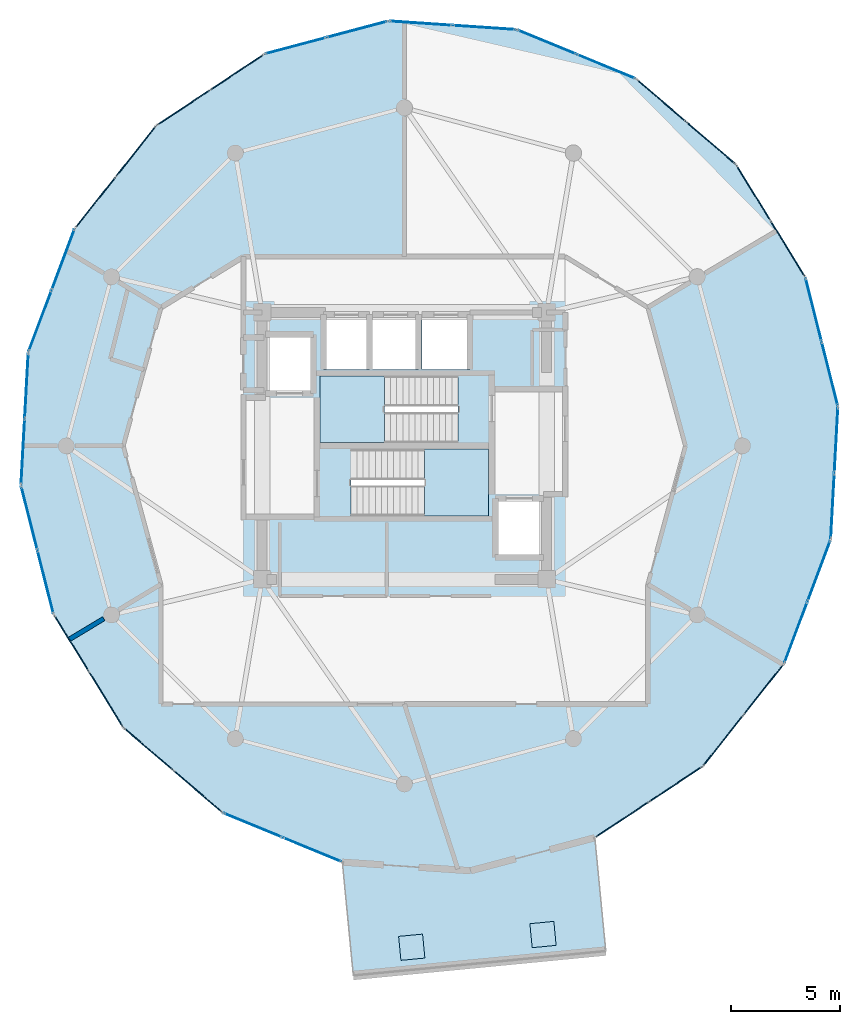
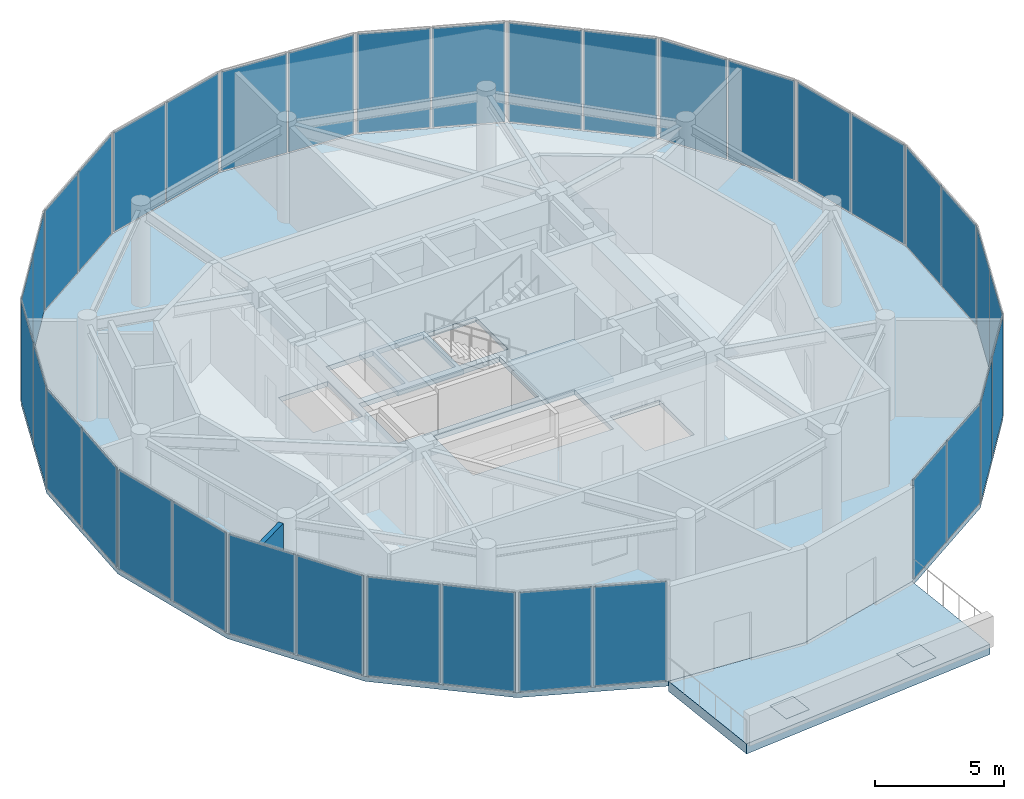
# One storey, part 16 of 21: 38 plates, 4 slabs, 1 wall, 20 elements without a shape of their own.
"""IFC4 building model written with IfcOpenShell, lengths in metres."""

from ifc_helpers import new_model, si_unit, direction, frame, frame_2d, origin, origin_2d, place, context, subcontext, project, spatial, polyline, rectangle, outline, extrude, source, transform, mapped, material, layer, layer_set, type_object, element, aggregate, save


model = new_model("IFC4")

# Units and contexts
model_context = context("Model", 3, precision=1e-05, world=origin(), true_north=direction((0.0, 1.0)))
body_context = subcontext(model_context, "Body", "Model", "MODEL_VIEW")
ifc_project = project(units=[si_unit("LENGTHUNIT", "METRE"), si_unit("AREAUNIT", "SQUARE_METRE"), si_unit("VOLUMEUNIT", "CUBIC_METRE"), si_unit("PLANEANGLEUNIT", "RADIAN"), si_unit("MASSUNIT", "GRAM", prefix="KILO")], contexts=[model_context])

# Site, building, storey
site_placement = place(None, origin())
site = spatial("IfcSite", under=ifc_project, at=site_placement, CompositionType="ELEMENT")
building_placement = place(site_placement, origin())
building = spatial("IfcBuilding", under=site, at=building_placement, Name="Solvirekh Grand Hotel", CompositionType="ELEMENT")
storey_placement = place(building_placement, frame((0.0, 0.0, 262.0)))
storey = spatial("IfcBuildingStorey", under=building, at=storey_placement, Name="L68", CompositionType="ELEMENT", Elevation=262.0)

# Slab
ifc_material_1 = material(Name="Concrete C60/75", Category="concrete")
ifc_layer_1 = layer(ifc_material_1, 0.47998046875)
ifc_layer_set_1 = layer_set([ifc_layer_1], Name="Concrete C60/75")
slab_type_1 = type_object("IfcSlabType", Name="ExtSkyPoolDeck_480", PredefinedType="FLOOR", material=ifc_layer_set_1)
slab_1_placement = place(storey_placement, frame((0.0, 0.0, -0.47998046875)))
element("IfcSlab", 1, at=slab_1_placement, inside=storey, type_object=slab_type_1, Name="L68 cantilevered sky-pool structural deck", PredefinedType="FLOOR", context=body_context, shape_type="SweptSolid", body=[
    extrude(outline(polyline([(-2.8330078125, -19.01708984375), (-2.3330078125, -24.193115234375), (9.200927734375, -23.077880859375), (8.700927734375, -17.902099609375), (3.02587890625, -19.409912109375), (-2.8330078125, -19.01708984375)])), origin(), (0.0, 0.0, 1.0), 0.47998046875),
])

# Stair, slab
ifc_material_2 = material(Name="Concrete C40/50", Category="concrete")
stair_type = type_object("IfcStairType", Name="Stair_Core_1450", PredefinedType="HALF_TURN_STAIR", material=ifc_material_2)
stair_1_placement = place(storey_placement, origin())
stair_1 = element("IfcStair", 2, at=stair_1_placement, inside=storey, type_object=stair_type, Name="L68 Enclosed exit stair ST-1", PredefinedType="HALF_TURN_STAIR")
ifc_layer_2 = layer(ifc_material_2, 0.199951171875)
ifc_layer_set_2 = layer_set([ifc_layer_2], Name="Concrete C40/50")
slab_type_2 = type_object("IfcSlabType", Name="Landing_Stair_200", PredefinedType="LANDING", material=ifc_layer_set_2)
slab_2_placement = place(storey_placement, frame((0.0, 0.0, 2.199951171875)))
slab_2 = element("IfcSlab", 3, at=slab_2_placement, type_object=slab_type_2, Name="ST-1 landing 1", PredefinedType="LANDING", context=body_context, shape_type="SweptSolid", body=[
    extrude(outline(polyline([(0.909912109375, -3.199951171875), (3.85009765625, -3.199951171875), (3.85009765625, -0.14990234375), (0.909912109375, -0.14990234375), (0.909912109375, -3.199951171875)])), origin(), (0.0, 0.0, 1.0), 0.199951171875),
])
aggregate(stair_1, [slab_2])

stair_2_placement = place(storey_placement, origin())
stair_2 = element("IfcStair", 4, at=stair_2_placement, inside=storey, type_object=stair_type, Name="L68 Enclosed exit stair ST-2", PredefinedType="HALF_TURN_STAIR")
slab_3_placement = place(storey_placement, frame((0.0, 0.0, 2.199951171875)))
slab_3 = element("IfcSlab", 5, at=slab_3_placement, type_object=slab_type_2, Name="ST-2 landing 1", PredefinedType="LANDING", context=body_context, shape_type="SweptSolid", body=[
    extrude(outline(polyline([(-0.909912109375, 3.199951171875), (-3.85009765625, 3.199951171875), (-3.85009765625, 0.14990234375), (-0.909912109375, 0.14990234375), (-0.909912109375, 3.199951171875)])), origin(), (0.0, 0.0, 1.0), 0.199951171875),
])
aggregate(stair_2, [slab_3])

# Plates
ifc_material_3 = material(Name="Structural Acrylic Pool Glazing", Category="glass")
ifc_layer_3 = layer(ifc_material_3, 0.0849609375)
ifc_layer_set_3 = layer_set([ifc_layer_3], Name="Structural Acrylic Pool Glazing")
plate_type_1 = type_object("IfcPlateType", Name="PoolAcrylicPlate_85", PredefinedType="SHEET", material=ifc_layer_set_3)
for number, where, z_axis, x_axis, name in (
    (6, (0.3369140625, -22.905029296875, -0.08251953125), (0.0, 0.0, 1.0), (0.995362681246, 0.096193205494, 0.0), "L68 sky-pool acrylic viewing panel 1"),
    (7, (6.333984375, -22.324951171875, -0.08251953125), (0.0, 0.0, 1.0), (0.995362681246, 0.096193205494, 0.0), "L68 sky-pool acrylic viewing panel 2"),
):
    element("IfcPlate", number, at=place(storey_placement, frame(where, z_axis=z_axis, x_axis=x_axis)), inside=storey, type_object=plate_type_1, Name=name, PredefinedType="SHEET", context=body_context, shape_type="SweptSolid", body=[
        extrude(rectangle(XDim=1.10009765625, YDim=1.10009765625, at=origin_2d()), origin(), (0.0, 0.0, 1.0), 0.0849609375),
    ])

# Slab
ifc_layer_4 = layer(ifc_material_2, 0.22998046875)
ifc_layer_set_4 = layer_set([ifc_layer_4], Name="Concrete C40/50")
slab_type_3 = type_object("IfcSlabType", Name="Slab_GuestZ4_230", PredefinedType="FLOOR", material=ifc_layer_set_4)
slab_4_placement = place(storey_placement, frame((0.0, 0.0, -0.22998046875)))
element("IfcSlab", 8, at=slab_4_placement, inside=storey, type_object=slab_type_3, Name="L68 structural floor slab", PredefinedType="FLOOR", context=body_context, shape_type="SweptSolid", body=[
    extrude(outline(polyline([(3.02587890625, -19.409912109375), (8.700927734375, -17.902099609375), (13.636962890625, -14.64306640625), (17.35107421875, -9.948974609375), (19.47900390625, -4.282958984375), (19.81298828125, 1.803955078125), (18.320068359375, 7.712890625), (15.14599609375, 12.867919921875), (10.60205078125, 16.762939453125), (5.133056640625, 19.01708984375), (-0.72607421875, 19.409912109375), (-6.40087890625, 17.902099609375), (-11.3369140625, 14.64306640625), (-15.051025390625, 9.948974609375), (-17.178955078125, 4.282958984375), (-17.512939453125, -1.803955078125), (-16.02001953125, -7.712890625), (-12.845947265625, -12.867919921875), (-8.302001953125, -16.762939453125), (-2.8330078125, -19.01708984375), (3.02587890625, -19.409912109375)]), holes=[polyline([(-2.444091796875, -0.14990234375), (3.85009765625, -0.14990234375), (3.85009765625, -3.199951171875), (-2.444091796875, -3.199951171875), (-2.444091796875, -0.14990234375)]), polyline([(2.444091796875, 0.14990234375), (-3.85009765625, 0.14990234375), (-3.85009765625, 3.199951171875), (2.444091796875, 3.199951171875), (2.444091796875, 0.14990234375)]), polyline([(-3.699951171875, 6.0), (-1.60009765625, 6.0), (-1.60009765625, 3.5), (-3.699951171875, 3.5), (-3.699951171875, 6.0)]), polyline([(-1.449951171875, 6.0), (0.64990234375, 6.0), (0.64990234375, 3.5), (-1.449951171875, 3.5), (-1.449951171875, 6.0)]), polyline([(0.800048828125, 6.0), (3.0, 6.0), (3.0, 3.5), (0.800048828125, 3.5), (0.800048828125, 6.0)]), polyline([(-6.35009765625, 5.10009765625), (-4.14990234375, 5.10009765625), (-4.14990234375, 2.39990234375), (-6.35009765625, 2.39990234375), (-6.35009765625, 5.10009765625)]), polyline([(4.14990234375, -2.39990234375), (6.35009765625, -2.39990234375), (6.35009765625, -5.10009765625), (4.14990234375, -5.10009765625), (4.14990234375, -2.39990234375)])]), origin(), (0.0, 0.0, 1.0), 0.22998046875),
])

# Curtain wall, plates
ifc_material_4 = material(Name="Anodized Bronze Aluminium 6063-T6", Category="aluminium")
ifc_layer_5 = layer(ifc_material_4, 0.18994140625)
ifc_layer_set_5 = layer_set([ifc_layer_5], Name="Anodized Bronze Aluminium 6063-T6")
curtain_wall_type = type_object("IfcCurtainWallType", Name="CW_Sys5_SkyLobbyPanoramaCW", PredefinedType="NOTDEFINED", material=ifc_layer_set_5)
curtain_wall_1_placement = place(storey_placement, origin())
curtain_wall_1 = element("IfcCurtainWall", 9, at=curtain_wall_1_placement, inside=storey, type_object=curtain_wall_type, Name="L68 unitised bronze-glass curtain wall CW-L68-C02", PredefinedType="NOTDEFINED")
ifc_material_5 = material(Name="Low-E Tinted Bronze Laminated Glass", Category="aluminium")
ifc_layer_6 = layer(ifc_material_5, 0.0419921875)
ifc_layer_set_6 = layer_set([ifc_layer_6], Name="Low-E Tinted Bronze Laminated Glass")
plate_type_2 = type_object("IfcPlateType", Name="CWPanel_SkyLobby_42", PredefinedType="CURTAIN_PANEL", material=ifc_layer_set_6)
shared_shape_1 = source(origin(), body_context, "Body", "SweptSolid", [
    extrude(rectangle(XDim=2.852294921875, YDim=0.0419921875, at=origin_2d()), origin(), (0.0, 0.0, 1.0), 4.679931640625),
])
plate_1_placement = place(storey_placement, frame((9.94970703125, -17.07763671875, 0.06005859375), z_axis=(0.0, 0.0, 1.0), x_axis=(0.834513013071, 0.550988231285, 0.0)))
plate_1 = element("IfcPlate", 10, at=plate_1_placement, type_object=plate_type_2, Name="U05 panel 1.1", PredefinedType="CURTAIN_PANEL", context=body_context, shape_type="MappedRepresentation", body=[
    mapped(shared_shape_1, transform((0.0, 0.0, 0.0), x_axis=(1.0, 0.0, 0.0), y_axis=(0.0, 1.0, 0.0), z_axis=(0.0, 0.0, 1.0), scale=1.0)),
])
plate_2_placement = place(storey_placement, frame((12.388427734375, -15.46728515625, 0.06005859375), z_axis=(0.0, 0.0, 1.0), x_axis=(0.834513013071, 0.550988231285, 0.0)))
plate_2 = element("IfcPlate", 11, at=plate_2_placement, type_object=plate_type_2, Name="U05 panel 2.1", PredefinedType="CURTAIN_PANEL", context=body_context, shape_type="MappedRepresentation", body=[
    mapped(shared_shape_1, transform((0.0, 0.0, 0.0), x_axis=(1.0, 0.0, 0.0), y_axis=(0.0, 1.0, 0.0), z_axis=(0.0, 0.0, 1.0), scale=1.0)),
])
aggregate(curtain_wall_1, [plate_1, plate_2])

curtain_wall_2_placement = place(storey_placement, origin())
curtain_wall_2 = element("IfcCurtainWall", 12, at=curtain_wall_2_placement, inside=storey, type_object=curtain_wall_type, Name="L68 unitised bronze-glass curtain wall CW-L68-C12", PredefinedType="NOTDEFINED")
plate_3_placement = place(storey_placement, frame((-7.649658203125, 17.07763671875, 0.06005859375), z_axis=(0.0, 0.0, 1.0), x_axis=(-0.834513013071, -0.550988231285, 0.0)))
plate_3 = element("IfcPlate", 13, at=plate_3_placement, type_object=plate_type_2, Name="U05 panel 1.1", PredefinedType="CURTAIN_PANEL", context=body_context, shape_type="MappedRepresentation", body=[
    mapped(shared_shape_1, transform((0.0, 0.0, 0.0), x_axis=(1.0, 0.0, 0.0), y_axis=(0.0, 1.0, 0.0), z_axis=(0.0, 0.0, 1.0), scale=1.0)),
])
plate_4_placement = place(storey_placement, frame((-10.08837890625, 15.46728515625, 0.06005859375), z_axis=(0.0, 0.0, 1.0), x_axis=(-0.834513013071, -0.550988231285, 0.0)))
plate_4 = element("IfcPlate", 14, at=plate_4_placement, type_object=plate_type_2, Name="U05 panel 2.1", PredefinedType="CURTAIN_PANEL", context=body_context, shape_type="MappedRepresentation", body=[
    mapped(shared_shape_1, transform((0.0, 0.0, 0.0), x_axis=(1.0, 0.0, 0.0), y_axis=(0.0, 1.0, 0.0), z_axis=(0.0, 0.0, 1.0), scale=1.0)),
])
aggregate(curtain_wall_2, [plate_3, plate_4])

curtain_wall_3_placement = place(storey_placement, origin())
curtain_wall_3 = element("IfcCurtainWall", 15, at=curtain_wall_3_placement, inside=storey, type_object=curtain_wall_type, Name="L68 unitised bronze-glass curtain wall CW-L68-C03", PredefinedType="NOTDEFINED")
shared_shape_2 = source(origin(), body_context, "Body", "SweptSolid", [
    extrude(rectangle(XDim=2.8876953125, YDim=0.0419921875, at=origin_2d()), origin(), (0.0, 0.0, 1.0), 4.679931640625),
])
plate_5_placement = place(storey_placement, frame((14.576416015625, -13.455810546875, 0.06005859375), z_axis=(0.0, 0.0, 1.0), x_axis=(0.620488960643, 0.784215180751, 0.0)))
plate_5 = element("IfcPlate", 16, at=plate_5_placement, type_object=plate_type_2, Name="U05 panel 1.1", PredefinedType="CURTAIN_PANEL", context=body_context, shape_type="MappedRepresentation", body=[
    mapped(shared_shape_2, transform((0.0, 0.0, 0.0), x_axis=(1.0, 0.0, 0.0), y_axis=(0.0, 1.0, 0.0), z_axis=(0.0, 0.0, 1.0), scale=1.0)),
])
plate_6_placement = place(storey_placement, frame((16.41162109375, -11.13623046875, 0.06005859375), z_axis=(0.0, 0.0, 1.0), x_axis=(0.620488960643, 0.784215180751, 0.0)))
plate_6 = element("IfcPlate", 17, at=plate_6_placement, type_object=plate_type_2, Name="U05 panel 2.1", PredefinedType="CURTAIN_PANEL", context=body_context, shape_type="MappedRepresentation", body=[
    mapped(shared_shape_2, transform((0.0, 0.0, 0.0), x_axis=(1.0, 0.0, 0.0), y_axis=(0.0, 1.0, 0.0), z_axis=(0.0, 0.0, 1.0), scale=1.0)),
])
aggregate(curtain_wall_3, [plate_5, plate_6])

curtain_wall_4_placement = place(storey_placement, origin())
curtain_wall_4 = element("IfcCurtainWall", 18, at=curtain_wall_4_placement, inside=storey, type_object=curtain_wall_type, Name="L68 unitised bronze-glass curtain wall CW-L68-C13", PredefinedType="NOTDEFINED")
plate_7_placement = place(storey_placement, frame((-12.2763671875, 13.455810546875, 0.06005859375), z_axis=(0.0, 0.0, 1.0), x_axis=(-0.620488960643, -0.784215180751, 0.0)))
plate_7 = element("IfcPlate", 19, at=plate_7_placement, type_object=plate_type_2, Name="U05 panel 1.1", PredefinedType="CURTAIN_PANEL", context=body_context, shape_type="MappedRepresentation", body=[
    mapped(shared_shape_2, transform((0.0, 0.0, 0.0), x_axis=(1.0, 0.0, 0.0), y_axis=(0.0, 1.0, 0.0), z_axis=(0.0, 0.0, 1.0), scale=1.0)),
])
plate_8_placement = place(storey_placement, frame((-14.111572265625, 11.13623046875, 0.06005859375), z_axis=(0.0, 0.0, 1.0), x_axis=(-0.620488960643, -0.784215180751, 0.0)))
plate_8 = element("IfcPlate", 20, at=plate_8_placement, type_object=plate_type_2, Name="U05 panel 2.1", PredefinedType="CURTAIN_PANEL", context=body_context, shape_type="MappedRepresentation", body=[
    mapped(shared_shape_2, transform((0.0, 0.0, 0.0), x_axis=(1.0, 0.0, 0.0), y_axis=(0.0, 1.0, 0.0), z_axis=(0.0, 0.0, 1.0), scale=1.0)),
])
aggregate(curtain_wall_4, [plate_7, plate_8])

curtain_wall_5_placement = place(storey_placement, origin())
curtain_wall_5 = element("IfcCurtainWall", 21, at=curtain_wall_5_placement, inside=storey, type_object=curtain_wall_type, Name="L68 unitised bronze-glass curtain wall CW-L68-C04", PredefinedType="NOTDEFINED")
shared_shape_3 = source(origin(), body_context, "Body", "SweptSolid", [
    extrude(rectangle(XDim=2.921142578125, YDim=0.0419921875, at=origin_2d()), origin(), (0.0, 0.0, 1.0), 4.679931640625),
])
plate_9_placement = place(storey_placement, frame((17.88916015625, -8.51611328125, 0.06005859375), z_axis=(0.0, 0.0, 1.0), x_axis=(0.351594169093, 0.936152519764, 0.0)))
plate_9 = element("IfcPlate", 22, at=plate_9_placement, type_object=plate_type_2, Name="U05 panel 1.1", PredefinedType="CURTAIN_PANEL", context=body_context, shape_type="MappedRepresentation", body=[
    mapped(shared_shape_3, transform((0.0, 0.0, 0.0), x_axis=(1.0, 0.0, 0.0), y_axis=(0.0, 1.0, 0.0), z_axis=(0.0, 0.0, 1.0), scale=1.0)),
])
plate_10_placement = place(storey_placement, frame((18.94091796875, -5.7158203125, 0.06005859375), z_axis=(0.0, 0.0, 1.0), x_axis=(0.351594169093, 0.936152519764, 0.0)))
plate_10 = element("IfcPlate", 23, at=plate_10_placement, type_object=plate_type_2, Name="U05 panel 2.1", PredefinedType="CURTAIN_PANEL", context=body_context, shape_type="MappedRepresentation", body=[
    mapped(shared_shape_3, transform((0.0, 0.0, 0.0), x_axis=(1.0, 0.0, 0.0), y_axis=(0.0, 1.0, 0.0), z_axis=(0.0, 0.0, 1.0), scale=1.0)),
])
aggregate(curtain_wall_5, [plate_9, plate_10])

curtain_wall_6_placement = place(storey_placement, origin())
curtain_wall_6 = element("IfcCurtainWall", 24, at=curtain_wall_6_placement, inside=storey, type_object=curtain_wall_type, Name="L68 unitised bronze-glass curtain wall CW-L68-C14", PredefinedType="NOTDEFINED")
plate_11_placement = place(storey_placement, frame((-15.589111328125, 8.51611328125, 0.06005859375), z_axis=(0.0, 0.0, 1.0), x_axis=(-0.351594169093, -0.936152519764, 0.0)))
plate_11 = element("IfcPlate", 25, at=plate_11_placement, type_object=plate_type_2, Name="U05 panel 1.1", PredefinedType="CURTAIN_PANEL", context=body_context, shape_type="MappedRepresentation", body=[
    mapped(shared_shape_3, transform((0.0, 0.0, 0.0), x_axis=(1.0, 0.0, 0.0), y_axis=(0.0, 1.0, 0.0), z_axis=(0.0, 0.0, 1.0), scale=1.0)),
])
plate_12_placement = place(storey_placement, frame((-16.640869140625, 5.7158203125, 0.06005859375), z_axis=(0.0, 0.0, 1.0), x_axis=(-0.351594169093, -0.936152519764, 0.0)))
plate_12 = element("IfcPlate", 26, at=plate_12_placement, type_object=plate_type_2, Name="U05 panel 2.1", PredefinedType="CURTAIN_PANEL", context=body_context, shape_type="MappedRepresentation", body=[
    mapped(shared_shape_3, transform((0.0, 0.0, 0.0), x_axis=(1.0, 0.0, 0.0), y_axis=(0.0, 1.0, 0.0), z_axis=(0.0, 0.0, 1.0), scale=1.0)),
])
aggregate(curtain_wall_6, [plate_11, plate_12])

curtain_wall_7_placement = place(storey_placement, origin())
curtain_wall_7 = element("IfcCurtainWall", 27, at=curtain_wall_7_placement, inside=storey, type_object=curtain_wall_type, Name="L68 unitised bronze-glass curtain wall CW-L68-C05", PredefinedType="NOTDEFINED")
shared_shape_4 = source(origin(), body_context, "Body", "SweptSolid", [
    extrude(rectangle(XDim=2.943115234375, YDim=0.0419921875, at=origin_2d()), origin(), (0.0, 0.0, 1.0), 4.679931640625),
])
plate_13_placement = place(storey_placement, frame((19.5634765625, -2.743896484375, 0.06005859375), z_axis=(0.0, 0.0, 1.0), x_axis=(0.05478861899, 0.998497975576, 0.0)))
plate_13 = element("IfcPlate", 28, at=plate_13_placement, type_object=plate_type_2, Name="U05 panel 1.1", PredefinedType="CURTAIN_PANEL", context=body_context, shape_type="MappedRepresentation", body=[
    mapped(shared_shape_4, transform((0.0, 0.0, 0.0), x_axis=(1.0, 0.0, 0.0), y_axis=(0.0, 1.0, 0.0), z_axis=(0.0, 0.0, 1.0), scale=1.0)),
])
plate_14_placement = place(storey_placement, frame((19.728515625, 0.264892578125, 0.06005859375), z_axis=(0.0, 0.0, 1.0), x_axis=(0.05478861899, 0.998497975576, 0.0)))
plate_14 = element("IfcPlate", 29, at=plate_14_placement, type_object=plate_type_2, Name="U05 panel 2.1", PredefinedType="CURTAIN_PANEL", context=body_context, shape_type="MappedRepresentation", body=[
    mapped(shared_shape_4, transform((0.0, 0.0, 0.0), x_axis=(1.0, 0.0, 0.0), y_axis=(0.0, 1.0, 0.0), z_axis=(0.0, 0.0, 1.0), scale=1.0)),
])
aggregate(curtain_wall_7, [plate_13, plate_14])

curtain_wall_8_placement = place(storey_placement, origin())
curtain_wall_8 = element("IfcCurtainWall", 30, at=curtain_wall_8_placement, inside=storey, type_object=curtain_wall_type, Name="L68 unitised bronze-glass curtain wall CW-L68-C15", PredefinedType="NOTDEFINED")
plate_15_placement = place(storey_placement, frame((-17.263427734375, 2.743896484375, 0.06005859375), z_axis=(0.0, 0.0, 1.0), x_axis=(-0.05478861899, -0.998497975576, 0.0)))
plate_15 = element("IfcPlate", 31, at=plate_15_placement, type_object=plate_type_2, Name="U05 panel 1.1", PredefinedType="CURTAIN_PANEL", context=body_context, shape_type="MappedRepresentation", body=[
    mapped(shared_shape_4, transform((0.0, 0.0, 0.0), x_axis=(1.0, 0.0, 0.0), y_axis=(0.0, 1.0, 0.0), z_axis=(0.0, 0.0, 1.0), scale=1.0)),
])
plate_16_placement = place(storey_placement, frame((-17.428466796875, -0.264892578125, 0.06005859375), z_axis=(0.0, 0.0, 1.0), x_axis=(-0.05478861899, -0.998497975576, 0.0)))
plate_16 = element("IfcPlate", 32, at=plate_16_placement, type_object=plate_type_2, Name="U05 panel 2.1", PredefinedType="CURTAIN_PANEL", context=body_context, shape_type="MappedRepresentation", body=[
    mapped(shared_shape_4, transform((0.0, 0.0, 0.0), x_axis=(1.0, 0.0, 0.0), y_axis=(0.0, 1.0, 0.0), z_axis=(0.0, 0.0, 1.0), scale=1.0)),
])
aggregate(curtain_wall_8, [plate_15, plate_16])

curtain_wall_9_placement = place(storey_placement, origin())
curtain_wall_9 = element("IfcCurtainWall", 33, at=curtain_wall_9_placement, inside=storey, type_object=curtain_wall_type, Name="L68 unitised bronze-glass curtain wall CW-L68-C06", PredefinedType="NOTDEFINED")
shared_shape_5 = source(origin(), body_context, "Body", "SweptSolid", [
    extrude(rectangle(XDim=2.9423828125, YDim=0.0419921875, at=origin_2d()), origin(), (0.0, 0.0, 1.0), 4.679931640625),
])
plate_17_placement = place(storey_placement, frame((19.435546875, 3.298095703125, 0.06005859375), z_axis=(0.0, 0.0, 1.0), x_axis=(-0.244967064078, 0.969531400996, 0.0)))
plate_17 = element("IfcPlate", 34, at=plate_17_placement, type_object=plate_type_2, Name="U05 panel 1.1", PredefinedType="CURTAIN_PANEL", context=body_context, shape_type="MappedRepresentation", body=[
    mapped(shared_shape_5, transform((0.0, 0.0, 0.0), x_axis=(1.0, 0.0, 0.0), y_axis=(0.0, 1.0, 0.0), z_axis=(0.0, 0.0, 1.0), scale=1.0)),
])
plate_18_placement = place(storey_placement, frame((18.697509765625, 6.21875, 0.06005859375), z_axis=(0.0, 0.0, 1.0), x_axis=(-0.244967064078, 0.969531400996, 0.0)))
plate_18 = element("IfcPlate", 35, at=plate_18_placement, type_object=plate_type_2, Name="U05 panel 2.1", PredefinedType="CURTAIN_PANEL", context=body_context, shape_type="MappedRepresentation", body=[
    mapped(shared_shape_5, transform((0.0, 0.0, 0.0), x_axis=(1.0, 0.0, 0.0), y_axis=(0.0, 1.0, 0.0), z_axis=(0.0, 0.0, 1.0), scale=1.0)),
])
aggregate(curtain_wall_9, [plate_17, plate_18])

curtain_wall_10_placement = place(storey_placement, origin())
curtain_wall_10 = element("IfcCurtainWall", 36, at=curtain_wall_10_placement, inside=storey, type_object=curtain_wall_type, Name="L68 unitised bronze-glass curtain wall CW-L68-C16", PredefinedType="NOTDEFINED")
plate_19_placement = place(storey_placement, frame((-17.135498046875, -3.298095703125, 0.06005859375), z_axis=(0.0, 0.0, 1.0), x_axis=(0.244967064078, -0.969531400996, 0.0)))
plate_19 = element("IfcPlate", 37, at=plate_19_placement, type_object=plate_type_2, Name="U05 panel 1.1", PredefinedType="CURTAIN_PANEL", context=body_context, shape_type="MappedRepresentation", body=[
    mapped(shared_shape_5, transform((0.0, 0.0, 0.0), x_axis=(1.0, 0.0, 0.0), y_axis=(0.0, 1.0, 0.0), z_axis=(0.0, 0.0, 1.0), scale=1.0)),
])
plate_20_placement = place(storey_placement, frame((-16.3974609375, -6.21875, 0.06005859375), z_axis=(0.0, 0.0, 1.0), x_axis=(0.244967064078, -0.969531400996, 0.0)))
plate_20 = element("IfcPlate", 38, at=plate_20_placement, type_object=plate_type_2, Name="U05 panel 2.1", PredefinedType="CURTAIN_PANEL", context=body_context, shape_type="MappedRepresentation", body=[
    mapped(shared_shape_5, transform((0.0, 0.0, 0.0), x_axis=(1.0, 0.0, 0.0), y_axis=(0.0, 1.0, 0.0), z_axis=(0.0, 0.0, 1.0), scale=1.0)),
])
aggregate(curtain_wall_10, [plate_19, plate_20])

curtain_wall_11_placement = place(storey_placement, origin())
curtain_wall_11 = element("IfcCurtainWall", 39, at=curtain_wall_11_placement, inside=storey, type_object=curtain_wall_type, Name="L68 unitised bronze-glass curtain wall CW-L68-C07", PredefinedType="NOTDEFINED")
shared_shape_6 = source(origin(), body_context, "Body", "SweptSolid", [
    extrude(rectangle(XDim=2.921875, YDim=0.0419921875, at=origin_2d()), origin(), (0.0, 0.0, 1.0), 4.679931640625),
])
plate_21_placement = place(storey_placement, frame((17.517333984375, 9.0166015625, 0.06005859375), z_axis=(0.0, 0.0, 1.0), x_axis=(-0.524300171237, 0.851533516922, 0.0)))
plate_21 = element("IfcPlate", 40, at=plate_21_placement, type_object=plate_type_2, Name="U05 panel 1.1", PredefinedType="CURTAIN_PANEL", context=body_context, shape_type="MappedRepresentation", body=[
    mapped(shared_shape_6, transform((0.0, 0.0, 0.0), x_axis=(1.0, 0.0, 0.0), y_axis=(0.0, 1.0, 0.0), z_axis=(0.0, 0.0, 1.0), scale=1.0)),
])
plate_22_placement = place(storey_placement, frame((15.94873046875, 11.564453125, 0.06005859375), z_axis=(0.0, 0.0, 1.0), x_axis=(-0.524300171237, 0.851533516922, 0.0)))
plate_22 = element("IfcPlate", 41, at=plate_22_placement, type_object=plate_type_2, Name="U05 panel 2.1", PredefinedType="CURTAIN_PANEL", context=body_context, shape_type="MappedRepresentation", body=[
    mapped(shared_shape_6, transform((0.0, 0.0, 0.0), x_axis=(1.0, 0.0, 0.0), y_axis=(0.0, 1.0, 0.0), z_axis=(0.0, 0.0, 1.0), scale=1.0)),
])
aggregate(curtain_wall_11, [plate_21, plate_22])

curtain_wall_12_placement = place(storey_placement, origin())
curtain_wall_12 = element("IfcCurtainWall", 42, at=curtain_wall_12_placement, inside=storey, type_object=curtain_wall_type, Name="L68 unitised bronze-glass curtain wall CW-L68-C17", PredefinedType="NOTDEFINED")
plate_23_placement = place(storey_placement, frame((-15.21728515625, -9.0166015625, 0.06005859375), z_axis=(0.0, 0.0, 1.0), x_axis=(0.524300171237, -0.851533516922, 0.0)))
plate_23 = element("IfcPlate", 43, at=plate_23_placement, type_object=plate_type_2, Name="U05 panel 1.1", PredefinedType="CURTAIN_PANEL", context=body_context, shape_type="MappedRepresentation", body=[
    mapped(shared_shape_6, transform((0.0, 0.0, 0.0), x_axis=(1.0, 0.0, 0.0), y_axis=(0.0, 1.0, 0.0), z_axis=(0.0, 0.0, 1.0), scale=1.0)),
])
plate_24_placement = place(storey_placement, frame((-13.648681640625, -11.564453125, 0.06005859375), z_axis=(0.0, 0.0, 1.0), x_axis=(0.524300171237, -0.851533516922, 0.0)))
plate_24 = element("IfcPlate", 44, at=plate_24_placement, type_object=plate_type_2, Name="U05 panel 2.1", PredefinedType="CURTAIN_PANEL", context=body_context, shape_type="MappedRepresentation", body=[
    mapped(shared_shape_6, transform((0.0, 0.0, 0.0), x_axis=(1.0, 0.0, 0.0), y_axis=(0.0, 1.0, 0.0), z_axis=(0.0, 0.0, 1.0), scale=1.0)),
])
aggregate(curtain_wall_12, [plate_23, plate_24])

curtain_wall_13_placement = place(storey_placement, origin())
curtain_wall_13 = element("IfcCurtainWall", 45, at=curtain_wall_13_placement, inside=storey, type_object=curtain_wall_type, Name="L68 unitised bronze-glass curtain wall CW-L68-C08", PredefinedType="NOTDEFINED")
shared_shape_7 = source(origin(), body_context, "Body", "SweptSolid", [
    extrude(rectangle(XDim=2.887451171875, YDim=0.0419921875, at=origin_2d()), origin(), (0.0, 0.0, 1.0), 4.679931640625),
])
plate_25_placement = place(storey_placement, frame((13.996826171875, 13.85302734375, 0.06005859375), z_axis=(0.0, 0.0, 1.0), x_axis=(-0.75924480784, 0.650805133483, 0.0)))
plate_25 = element("IfcPlate", 46, at=plate_25_placement, type_object=plate_type_2, Name="U05 panel 1.1", PredefinedType="CURTAIN_PANEL", context=body_context, shape_type="MappedRepresentation", body=[
    mapped(shared_shape_7, transform((0.0, 0.0, 0.0), x_axis=(1.0, 0.0, 0.0), y_axis=(0.0, 1.0, 0.0), z_axis=(0.0, 0.0, 1.0), scale=1.0)),
])
plate_26_placement = place(storey_placement, frame((11.751220703125, 15.77783203125, 0.06005859375), z_axis=(0.0, 0.0, 1.0), x_axis=(-0.75924480784, 0.650805133483, 0.0)))
plate_26 = element("IfcPlate", 47, at=plate_26_placement, type_object=plate_type_2, Name="U05 panel 2.1", PredefinedType="CURTAIN_PANEL", context=body_context, shape_type="MappedRepresentation", body=[
    mapped(shared_shape_7, transform((0.0, 0.0, 0.0), x_axis=(1.0, 0.0, 0.0), y_axis=(0.0, 1.0, 0.0), z_axis=(0.0, 0.0, 1.0), scale=1.0)),
])
aggregate(curtain_wall_13, [plate_25, plate_26])

curtain_wall_14_placement = place(storey_placement, origin())
curtain_wall_14 = element("IfcCurtainWall", 48, at=curtain_wall_14_placement, inside=storey, type_object=curtain_wall_type, Name="L68 unitised bronze-glass curtain wall CW-L68-C18", PredefinedType="NOTDEFINED")
plate_27_placement = place(storey_placement, frame((-11.69677734375, -13.85302734375, 0.06005859375), z_axis=(0.0, 0.0, 1.0), x_axis=(0.75924480784, -0.650805133483, 0.0)))
plate_27 = element("IfcPlate", 49, at=plate_27_placement, type_object=plate_type_2, Name="U05 panel 1.1", PredefinedType="CURTAIN_PANEL", context=body_context, shape_type="MappedRepresentation", body=[
    mapped(shared_shape_7, transform((0.0, 0.0, 0.0), x_axis=(1.0, 0.0, 0.0), y_axis=(0.0, 1.0, 0.0), z_axis=(0.0, 0.0, 1.0), scale=1.0)),
])
plate_28_placement = place(storey_placement, frame((-9.451171875, -15.77783203125, 0.06005859375), z_axis=(0.0, 0.0, 1.0), x_axis=(0.75924480784, -0.650805133483, 0.0)))
plate_28 = element("IfcPlate", 50, at=plate_28_placement, type_object=plate_type_2, Name="U05 panel 2.1", PredefinedType="CURTAIN_PANEL", context=body_context, shape_type="MappedRepresentation", body=[
    mapped(shared_shape_7, transform((0.0, 0.0, 0.0), x_axis=(1.0, 0.0, 0.0), y_axis=(0.0, 1.0, 0.0), z_axis=(0.0, 0.0, 1.0), scale=1.0)),
])
aggregate(curtain_wall_14, [plate_27, plate_28])

curtain_wall_15_placement = place(storey_placement, origin())
curtain_wall_15 = element("IfcCurtainWall", 51, at=curtain_wall_15_placement, inside=storey, type_object=curtain_wall_type, Name="L68 unitised bronze-glass curtain wall CW-L68-C09", PredefinedType="NOTDEFINED")
shared_shape_8 = source(origin(), body_context, "Body", "SweptSolid", [
    extrude(rectangle(XDim=2.8525390625, YDim=0.0419921875, at=origin_2d()), origin(), (0.0, 0.0, 1.0), 4.679931640625),
])
plate_29_placement = place(storey_placement, frame((9.218505859375, 17.333251953125, 0.06005859375), z_axis=(0.0, 0.0, 1.0), x_axis=(-0.924555511551, 0.381047380337, 0.0)))
plate_29 = element("IfcPlate", 52, at=plate_29_placement, type_object=plate_type_2, Name="U05 panel 1.1", PredefinedType="CURTAIN_PANEL", context=body_context, shape_type="MappedRepresentation", body=[
    mapped(shared_shape_8, transform((0.0, 0.0, 0.0), x_axis=(1.0, 0.0, 0.0), y_axis=(0.0, 1.0, 0.0), z_axis=(0.0, 0.0, 1.0), scale=1.0)),
])
plate_30_placement = place(storey_placement, frame((6.516357421875, 18.44677734375, 0.06005859375), z_axis=(0.0, 0.0, 1.0), x_axis=(-0.924555511551, 0.381047380337, 0.0)))
plate_30 = element("IfcPlate", 53, at=plate_30_placement, type_object=plate_type_2, Name="U05 panel 2.1", PredefinedType="CURTAIN_PANEL", context=body_context, shape_type="MappedRepresentation", body=[
    mapped(shared_shape_8, transform((0.0, 0.0, 0.0), x_axis=(1.0, 0.0, 0.0), y_axis=(0.0, 1.0, 0.0), z_axis=(0.0, 0.0, 1.0), scale=1.0)),
])
aggregate(curtain_wall_15, [plate_29, plate_30])

curtain_wall_16_placement = place(storey_placement, origin())
curtain_wall_16 = element("IfcCurtainWall", 54, at=curtain_wall_16_placement, inside=storey, type_object=curtain_wall_type, Name="L68 unitised bronze-glass curtain wall CW-L68-C19", PredefinedType="NOTDEFINED")
plate_31_placement = place(storey_placement, frame((-6.91845703125, -17.333251953125, 0.06005859375), z_axis=(0.0, 0.0, 1.0), x_axis=(0.924555511551, -0.381047380337, 0.0)))
plate_31 = element("IfcPlate", 55, at=plate_31_placement, type_object=plate_type_2, Name="U05 panel 1.1", PredefinedType="CURTAIN_PANEL", context=body_context, shape_type="MappedRepresentation", body=[
    mapped(shared_shape_8, transform((0.0, 0.0, 0.0), x_axis=(1.0, 0.0, 0.0), y_axis=(0.0, 1.0, 0.0), z_axis=(0.0, 0.0, 1.0), scale=1.0)),
])
plate_32_placement = place(storey_placement, frame((-4.21630859375, -18.44677734375, 0.06005859375), z_axis=(0.0, 0.0, 1.0), x_axis=(0.924555511551, -0.381047380337, 0.0)))
plate_32 = element("IfcPlate", 56, at=plate_32_placement, type_object=plate_type_2, Name="U05 panel 2.1", PredefinedType="CURTAIN_PANEL", context=body_context, shape_type="MappedRepresentation", body=[
    mapped(shared_shape_8, transform((0.0, 0.0, 0.0), x_axis=(1.0, 0.0, 0.0), y_axis=(0.0, 1.0, 0.0), z_axis=(0.0, 0.0, 1.0), scale=1.0)),
])
aggregate(curtain_wall_16, [plate_31, plate_32])

curtain_wall_17_placement = place(storey_placement, origin())
curtain_wall_17 = element("IfcCurtainWall", 57, at=curtain_wall_17_placement, inside=storey, type_object=curtain_wall_type, Name="L68 unitised bronze-glass curtain wall CW-L68-C10", PredefinedType="NOTDEFINED")
shared_shape_9 = source(origin(), body_context, "Body", "SweptSolid", [
    extrude(rectangle(XDim=2.8310546875, YDim=0.0419921875, at=origin_2d()), origin(), (0.0, 0.0, 1.0), 4.679931640625),
])
plate_33_placement = place(storey_placement, frame((3.65087890625, 19.116455078125, 0.06005859375), z_axis=(0.0, 0.0, 1.0), x_axis=(-0.997757948265, 0.06692590436, 0.0)))
plate_33 = element("IfcPlate", 58, at=plate_33_placement, type_object=plate_type_2, Name="U05 panel 1.1", PredefinedType="CURTAIN_PANEL", context=body_context, shape_type="MappedRepresentation", body=[
    mapped(shared_shape_9, transform((0.0, 0.0, 0.0), x_axis=(1.0, 0.0, 0.0), y_axis=(0.0, 1.0, 0.0), z_axis=(0.0, 0.0, 1.0), scale=1.0)),
])
plate_34_placement = place(storey_placement, frame((0.756103515625, 19.310546875, 0.06005859375), z_axis=(0.0, 0.0, 1.0), x_axis=(-0.997757948265, 0.06692590436, 0.0)))
plate_34 = element("IfcPlate", 59, at=plate_34_placement, type_object=plate_type_2, Name="U05 panel 2.1", PredefinedType="CURTAIN_PANEL", context=body_context, shape_type="MappedRepresentation", body=[
    mapped(shared_shape_9, transform((0.0, 0.0, 0.0), x_axis=(1.0, 0.0, 0.0), y_axis=(0.0, 1.0, 0.0), z_axis=(0.0, 0.0, 1.0), scale=1.0)),
])
aggregate(curtain_wall_17, [plate_33, plate_34])

curtain_wall_18_placement = place(storey_placement, origin())
curtain_wall_18 = element("IfcCurtainWall", 60, at=curtain_wall_18_placement, inside=storey, type_object=curtain_wall_type, Name="L68 unitised bronze-glass curtain wall CW-L68-C11", PredefinedType="NOTDEFINED")
plate_35_placement = place(storey_placement, frame((-2.16162109375, 19.028564453125, 0.06005859375), z_axis=(0.0, 0.0, 1.0), x_axis=(-0.966460693907, -0.256814577337, 0.0)))
plate_35 = element("IfcPlate", 61, at=plate_35_placement, type_object=plate_type_2, Name="U05 panel 1.1", PredefinedType="CURTAIN_PANEL", context=body_context, shape_type="MappedRepresentation", body=[
    mapped(shared_shape_9, transform((0.0, 0.0, 0.0), x_axis=(1.0, 0.0, 0.0), y_axis=(0.0, 1.0, 0.0), z_axis=(0.0, 0.0, 1.0), scale=1.0)),
])
plate_36_placement = place(storey_placement, frame((-4.96533203125, 18.283447265625, 0.06005859375), z_axis=(0.0, 0.0, 1.0), x_axis=(-0.966460693907, -0.256814577337, 0.0)))
plate_36 = element("IfcPlate", 62, at=plate_36_placement, type_object=plate_type_2, Name="U05 panel 2.1", PredefinedType="CURTAIN_PANEL", context=body_context, shape_type="MappedRepresentation", body=[
    mapped(shared_shape_9, transform((0.0, 0.0, 0.0), x_axis=(1.0, 0.0, 0.0), y_axis=(0.0, 1.0, 0.0), z_axis=(0.0, 0.0, 1.0), scale=1.0)),
])
aggregate(curtain_wall_18, [plate_35, plate_36])

# Wall
ifc_material_6 = material(Name="Acoustic Gypsum Partition Assembly")
ifc_layer_7 = layer(ifc_material_6, 0.2099609375)
ifc_layer_set_7 = layer_set([ifc_layer_7], Name="Acoustic Gypsum Partition Assembly")
wall_type = type_object("IfcWallType", Name="Part_SuiteDemise_210", PredefinedType="PARTITIONING", material=ifc_layer_set_7)
wall_placement = place(storey_placement, frame((-13.737060546875, -7.89404296875, 0.0), z_axis=(0.0, 0.0, 1.0), x_axis=(-0.857183235, -0.515011554855, 0.0)))
element("IfcWall", 63, at=wall_placement, inside=storey, type_object=wall_type, Name="L68 radial demising wall 8 (B)", PredefinedType="PARTITIONING", context=body_context, shape_type="SweptSolid", body=[
    extrude(rectangle(XDim=1.809326171875, YDim=0.2099609375, at=frame_2d((0.90478515625, 0.0))), origin(), (0.0, 0.0, 1.0), 4.570068359375),
])

save(model, "model.ifc")
